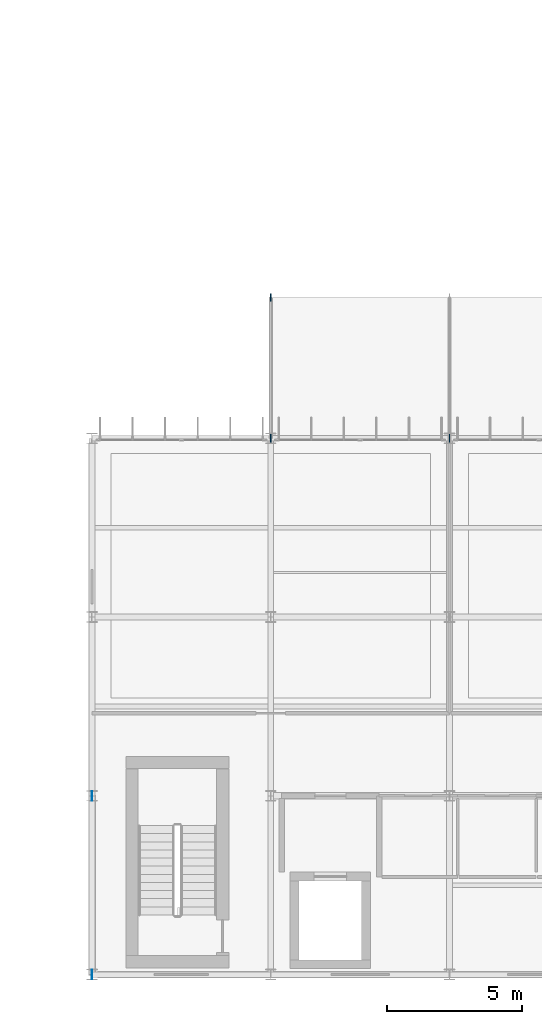
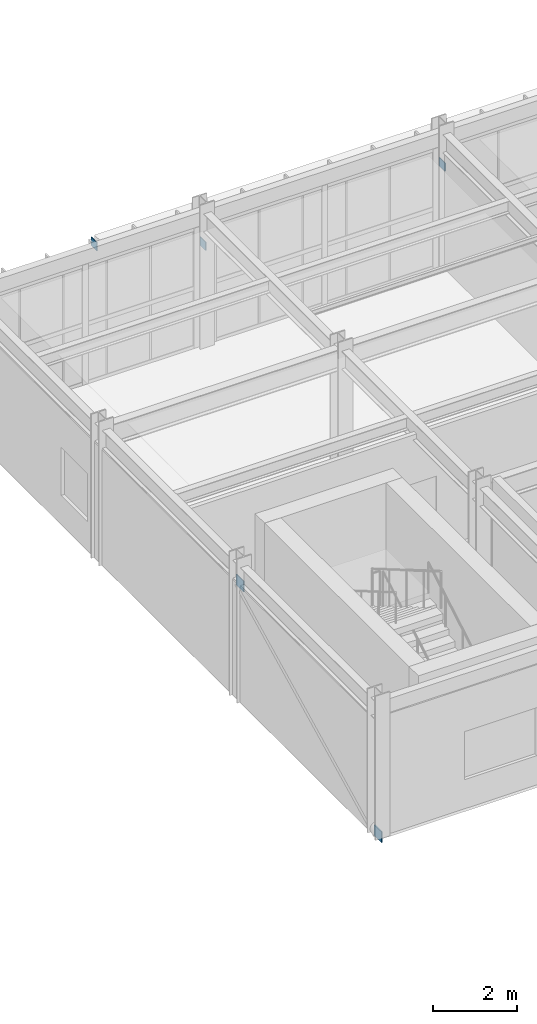
# One storey, part 113 of 148: 5 plates.
"""IFC4 building model written with IfcOpenShell, lengths in metres."""

from ifc_helpers import new_model, si_unit, direction, frame, origin, origin_2d, place, context, subcontext, project, spatial, rectangle, extrude, material, layer, layer_set, type_object, element, save


model = new_model("IFC4")

# Units and contexts
model_context = context("Model", 3, precision=1e-05, world=origin(), true_north=direction((0.0, 1.0)))
body_context = subcontext(model_context, "Body", "Model", "MODEL_VIEW")
ifc_project = project(units=[si_unit("LENGTHUNIT", "METRE"), si_unit("AREAUNIT", "SQUARE_METRE"), si_unit("VOLUMEUNIT", "CUBIC_METRE"), si_unit("PLANEANGLEUNIT", "RADIAN"), si_unit("MASSUNIT", "GRAM", prefix="KILO")], contexts=[model_context])

# Site, building, storey
site_placement = place(None, origin())
site = spatial("IfcSite", under=ifc_project, at=site_placement, CompositionType="ELEMENT")
building_placement = place(site_placement, origin())
building = spatial("IfcBuilding", under=site, at=building_placement, Name="Karori Crest Natural Sciences Institute", CompositionType="ELEMENT")
storey_placement = place(building_placement, frame((0.0, 0.0, 4.89990234375)))
storey = spatial("IfcBuildingStorey", under=building, at=storey_placement, Name="L01", CompositionType="ELEMENT", Elevation=4.89990234375)

# Plates
ifc_material = material(Name="Structural steel AS/NZS 3679.1 Grade 350", Category="steel")
ifc_layer = layer(ifc_material, 0.02490234375, Name="Structural steel AS/NZS 3679.1 Grade 350")
ifc_layer_set = layer_set([ifc_layer], Name="Structural steel AS/NZS 3679.1 Grade 350")
plate_type = type_object("IfcPlateType", Name="PLT-06-EL", PredefinedType="SHEET", material=ifc_layer_set)
for number, where, z_axis, x_axis, name in (
    (1, (103.60009765625, 0.800048828125, -0.146484375), (0.0, 0.0, 1.0), (0.0, 1.0, 0.0), "Brace gusset plate EP-0392"),
    (2, (103.60009765625, 7.39990234375, 3.16162109375), (0.0, 0.0, 1.0), (0.0, 1.0, 0.0), "Brace gusset plate EP-0393"),
):
    element("IfcPlate", number, at=place(storey_placement, frame(where, z_axis=z_axis, x_axis=x_axis)), inside=storey, type_object=plate_type, Name=name, PredefinedType="SHEET", context=body_context, shape_type="SweptSolid", body=[
        extrude(rectangle(XDim=0.35302734375, YDim=0.02490234375, at=origin_2d()), origin(), (0.0, 0.0, 1.0), 0.31298828125),
    ])
for number, where, z_axis, x_axis, name in (
    (3, (110.199951171875, 25.800048828125, -0.3798828125), (0.0, 0.0, 1.0), (0.0, 1.0, 0.0), "Brace gusset plate EP-0452"),
    (4, (110.199951171875, 20.60009765625, 2.7802734375), (0.0, 0.0, 1.0), (0.0, 1.0, 0.0), "Brace gusset plate EP-0453"),
    (5, (116.800048828125, 20.60009765625, 2.7802734375), (0.0, 0.0, 1.0), (0.0, 1.0, 0.0), "Brace gusset plate EP-0457"),
):
    element("IfcPlate", number, at=place(storey_placement, frame(where, z_axis=z_axis, x_axis=x_axis)), inside=storey, type_object=plate_type, Name=name, PredefinedType="SHEET", context=body_context, shape_type="SweptSolid", body=[
        extrude(rectangle(XDim=0.280029296875, YDim=0.02490234375, at=origin_2d()), origin(), (0.0, 0.0, 1.0), 0.239990234375),
    ])

save(model, "model.ifc")
